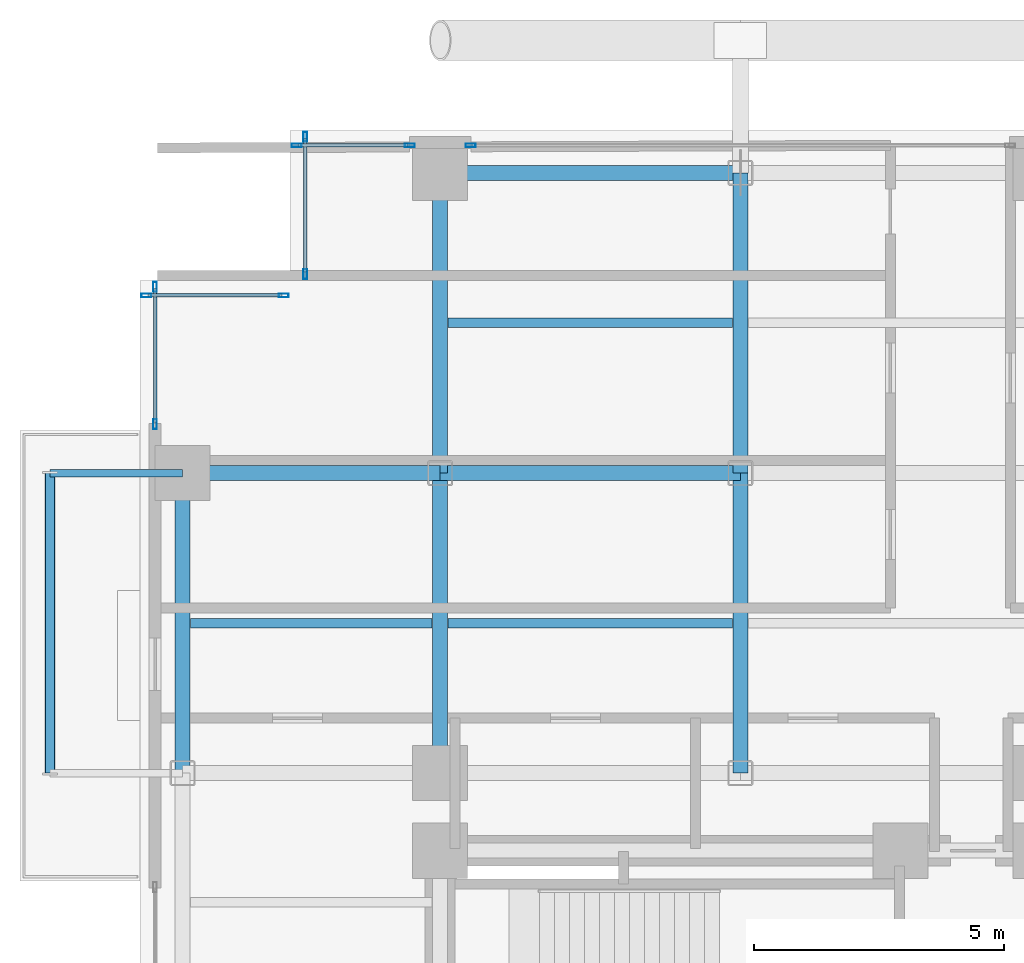
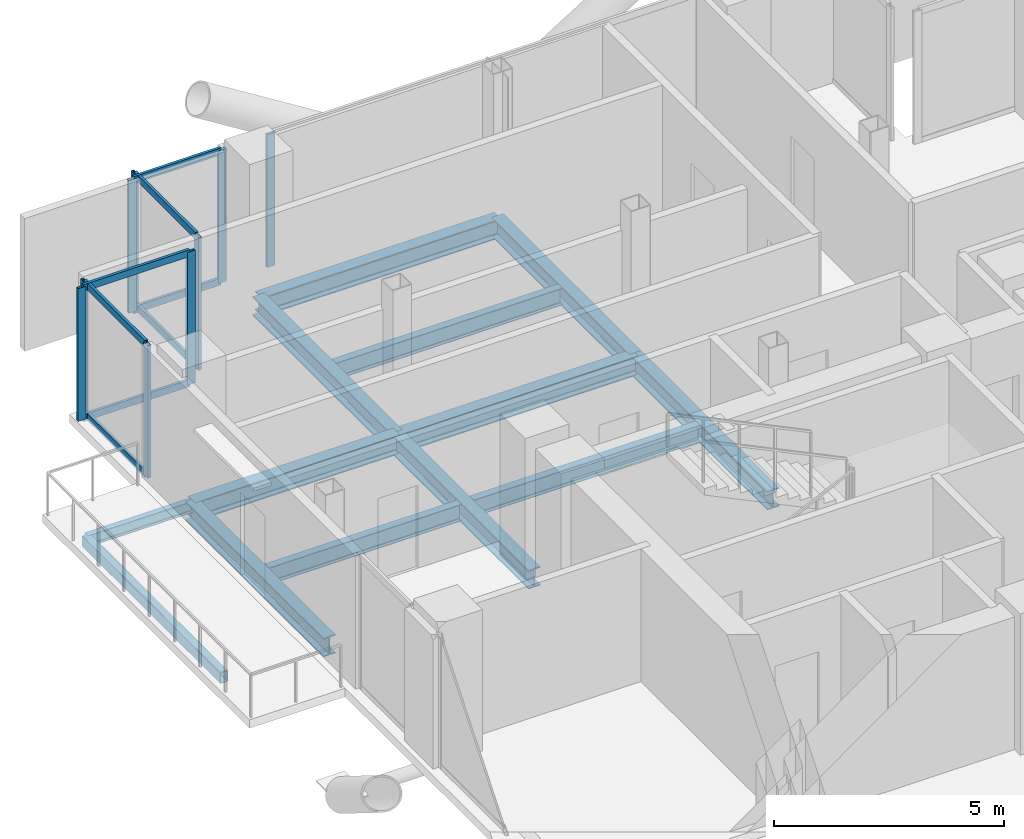
# One storey, part 15 of 28: 17 members, 13 beams, 5 elements without a shape of their own.
"""IFC4 building model written with IfcOpenShell, lengths in metres."""

from ifc_helpers import new_model, si_unit, direction, frame, origin, origin_2d, place, context, subcontext, project, spatial, hollow_rectangle, i_section, extrude, material, layer, layer_set, material_profile, profile_set, type_object, element, aggregate, save


model = new_model("IFC4")

# Units and contexts
model_context = context("Model", 3, precision=1e-05, world=origin(), true_north=direction((0.0, 1.0)))
body_context = subcontext(model_context, "Body", "Model", "MODEL_VIEW")
ifc_project = project(units=[si_unit("LENGTHUNIT", "METRE"), si_unit("AREAUNIT", "SQUARE_METRE"), si_unit("VOLUMEUNIT", "CUBIC_METRE"), si_unit("PLANEANGLEUNIT", "RADIAN"), si_unit("MASSUNIT", "GRAM", prefix="KILO"), si_unit("THERMODYNAMICTEMPERATUREUNIT", "KELVIN"), si_unit("POWERUNIT", "WATT")], contexts=[model_context])

# Site, building, storey
site_placement = place(None, origin())
site = spatial("IfcSite", under=ifc_project, at=site_placement, CompositionType="ELEMENT")
building_placement = place(site_placement, origin())
building = spatial("IfcBuilding", under=site, at=building_placement, Name="Svarakhadi Broadcast Tower", CompositionType="ELEMENT")
storey_placement = place(building_placement, frame((0.0, 0.0, 123.14990234375)))
storey = spatial("IfcBuildingStorey", under=building, at=storey_placement, Name="L29", CompositionType="ELEMENT", Elevation=123.14990234375)

# Beams
ifc_material_1 = material(Name="Steel S355J2 (IS 2062 E350C)", Category="steel")
ifc_material_profile_1 = material_profile(ifc_material_1, i_section(OverallWidth=0.18994140625, OverallDepth=0.449951171875, WebThickness=0.009521484375, FlangeThickness=0.0146484375, FilletRadius=0.02099609375, at=origin_2d()), Name="NPB 450x190x78")
ifc_profile_set_1 = profile_set([ifc_material_profile_1], Name="Steel S355J2 (IS 2062 E350C)")
beam_type_1 = type_object("IfcBeamType", Name="Beam_NPB450", PredefinedType="BEAM", material=ifc_profile_set_1)
beam_1_placement = place(storey_placement, frame((1.010009765625, 32.14990234375, -0.449951171875), z_axis=(1.0, 0.0, 0.0), x_axis=(0.0, 1.0, 0.0)))
element("IfcBeam", 1, at=beam_1_placement, inside=storey, type_object=beam_type_1, Name="L29 Secondary Composite Beam SB005", PredefinedType="BEAM", context=body_context, shape_type="SweptSolid", body=[
    extrude(i_section(OverallWidth=0.18994140625, OverallDepth=0.449951171875, WebThickness=0.009521484375, FlangeThickness=0.0146484375, FilletRadius=0.02099609375, at=origin_2d()), origin(), (0.0, 0.0, 1.0), 4.830078125),
])
for number, where, z_axis, x_axis, name in (
    (2, (6.159912109375, 32.14990234375, -0.449951171875), (1.0, 0.0, 0.0), (0.0, 1.0, 0.0), "L29 Secondary Composite Beam SB009"),
    (3, (6.159912109375, 38.14990234375, -0.449951171875), (1.0, 0.0, 0.0), (0.0, 1.0, 0.0), "L29 Secondary Composite Beam SB010"),
):
    element("IfcBeam", number, at=place(storey_placement, frame(where, z_axis=z_axis, x_axis=x_axis)), inside=storey, type_object=beam_type_1, Name=name, PredefinedType="BEAM", context=body_context, shape_type="SweptSolid", body=[
        extrude(i_section(OverallWidth=0.18994140625, OverallDepth=0.449951171875, WebThickness=0.009521484375, FlangeThickness=0.0146484375, FilletRadius=0.02099609375, at=origin_2d()), origin(), (0.0, 0.0, 1.0), 5.68017578125),
    ])

# Curtain wall, members
ifc_material_2 = material(Name="Anodised Bronze Aluminium AA 6063-T6", Category="aluminium")
ifc_layer = layer(ifc_material_2, 0.199951171875)
ifc_layer_set = layer_set([ifc_layer], Name="Anodised Bronze Aluminium AA 6063-T6")
curtain_wall_type = type_object("IfcCurtainWallType", Name="CW_Sys_03", PredefinedType="NOTDEFINED", material=ifc_layer_set)
curtain_wall_1_placement = place(storey_placement, origin())
curtain_wall_1 = element("IfcCurtainWall", 4, at=curtain_wall_1_placement, inside=storey, type_object=curtain_wall_type, Name="L29 West Curtain Wall 03", PredefinedType="NOTDEFINED")
ifc_material_profile_2 = material_profile(ifc_material_2, hollow_rectangle(XDim=0.074951171875, YDim=0.199951171875, WallThickness=0.005615234375, at=origin_2d()), Name="ALU MULLION 200x75x6")
ifc_profile_set_2 = profile_set([ifc_material_profile_2], Name="Anodised Bronze Aluminium AA 6063-T6")
member_type_1 = type_object("IfcMemberType", Name="CW_Sys_03_Mul", PredefinedType="MULLION", material=ifc_profile_set_2)
member_1_placement = place(storey_placement, frame((0.300048828125, 36.12744140625, 0.0), z_axis=(0.0, 0.0, 1.0), x_axis=(-1.0, 0.0, 0.0)))
member_1 = element("IfcMember", 5, at=member_1_placement, type_object=member_type_1, Name="CW-03 mullion 1", PredefinedType="MULLION", context=body_context, shape_type="SweptSolid", body=[
    extrude(hollow_rectangle(XDim=0.074951171875, YDim=0.199951171875, WallThickness=0.005615234375, at=origin_2d()), origin(), (0.0, 0.0, 1.0), 3.525146484375),
])
member_2_placement = place(storey_placement, frame((0.300048828125, 38.87255859375, 0.0), z_axis=(0.0, 0.0, 1.0), x_axis=(-1.0, 0.0, 0.0)))
member_2 = element("IfcMember", 6, at=member_2_placement, type_object=member_type_1, Name="CW-03 mullion 2", PredefinedType="MULLION", context=body_context, shape_type="SweptSolid", body=[
    extrude(hollow_rectangle(XDim=0.074951171875, YDim=0.199951171875, WallThickness=0.005615234375, at=origin_2d()), origin(), (0.0, 0.0, 1.0), 3.525146484375),
])

curtain_wall_2_placement = place(storey_placement, origin())
curtain_wall_2 = element("IfcCurtainWall", 7, at=curtain_wall_2_placement, inside=storey, type_object=curtain_wall_type, Name="L29 Unitised Facade Curtain Wall 04", PredefinedType="NOTDEFINED")
member_3_placement = place(storey_placement, frame((0.12744140625, 38.699951171875, 0.0), z_axis=(0.0, 0.0, 1.0), x_axis=(0.0, 1.0, 0.0)))
member_3 = element("IfcMember", 8, at=member_3_placement, type_object=member_type_1, Name="CW-03 mullion 1", PredefinedType="MULLION", context=body_context, shape_type="SweptSolid", body=[
    extrude(hollow_rectangle(XDim=0.074951171875, YDim=0.199951171875, WallThickness=0.005615234375, at=origin_2d()), origin(), (0.0, 0.0, 1.0), 3.525146484375),
])
member_4_placement = place(storey_placement, frame((2.87255859375, 38.699951171875, 0.0), z_axis=(0.0, 0.0, 1.0), x_axis=(0.0, 1.0, 0.0)))
member_4 = element("IfcMember", 9, at=member_4_placement, type_object=member_type_1, Name="CW-03 mullion 2", PredefinedType="MULLION", context=body_context, shape_type="SweptSolid", body=[
    extrude(hollow_rectangle(XDim=0.074951171875, YDim=0.199951171875, WallThickness=0.005615234375, at=origin_2d()), origin(), (0.0, 0.0, 1.0), 3.525146484375),
])

curtain_wall_3_placement = place(storey_placement, origin())
curtain_wall_3 = element("IfcCurtainWall", 10, at=curtain_wall_3_placement, inside=storey, type_object=curtain_wall_type, Name="L29 Unitised Facade Curtain Wall 05", PredefinedType="NOTDEFINED")
member_5_placement = place(storey_placement, frame((3.300048828125, 39.12744140625, 0.0), z_axis=(0.0, 0.0, 1.0), x_axis=(-1.0, 0.0, 0.0)))
member_5 = element("IfcMember", 11, at=member_5_placement, type_object=member_type_1, Name="CW-03 mullion 1", PredefinedType="MULLION", context=body_context, shape_type="SweptSolid", body=[
    extrude(hollow_rectangle(XDim=0.074951171875, YDim=0.199951171875, WallThickness=0.005615234375, at=origin_2d()), origin(), (0.0, 0.0, 1.0), 3.525146484375),
])
member_6_placement = place(storey_placement, frame((3.300048828125, 41.87255859375, 0.0), z_axis=(0.0, 0.0, 1.0), x_axis=(-1.0, 0.0, 0.0)))
member_6 = element("IfcMember", 12, at=member_6_placement, type_object=member_type_1, Name="CW-03 mullion 2", PredefinedType="MULLION", context=body_context, shape_type="SweptSolid", body=[
    extrude(hollow_rectangle(XDim=0.074951171875, YDim=0.199951171875, WallThickness=0.005615234375, at=origin_2d()), origin(), (0.0, 0.0, 1.0), 3.525146484375),
])

curtain_wall_4_placement = place(storey_placement, origin())
curtain_wall_4 = element("IfcCurtainWall", 13, at=curtain_wall_4_placement, inside=storey, type_object=curtain_wall_type, Name="L29 Unitised Facade Curtain Wall 06 Bay 1", PredefinedType="NOTDEFINED")
member_7_placement = place(storey_placement, frame((3.12744140625, 41.699951171875, 0.0), z_axis=(0.0, 0.0, 1.0), x_axis=(0.0, 1.0, 0.0)))
member_7 = element("IfcMember", 14, at=member_7_placement, type_object=member_type_1, Name="CW-03 mullion 1", PredefinedType="MULLION", context=body_context, shape_type="SweptSolid", body=[
    extrude(hollow_rectangle(XDim=0.074951171875, YDim=0.199951171875, WallThickness=0.005615234375, at=origin_2d()), origin(), (0.0, 0.0, 1.0), 3.525146484375),
])
member_8_placement = place(storey_placement, frame((5.392578125, 41.699951171875, 0.0), z_axis=(0.0, 0.0, 1.0), x_axis=(0.0, 1.0, 0.0)))
member_8 = element("IfcMember", 15, at=member_8_placement, type_object=member_type_1, Name="CW-03 mullion 2", PredefinedType="MULLION", context=body_context, shape_type="SweptSolid", body=[
    extrude(hollow_rectangle(XDim=0.074951171875, YDim=0.199951171875, WallThickness=0.005615234375, at=origin_2d()), origin(), (0.0, 0.0, 1.0), 3.525146484375),
])

# Curtain wall, member
curtain_wall_5_placement = place(storey_placement, origin())
curtain_wall_5 = element("IfcCurtainWall", 16, at=curtain_wall_5_placement, inside=storey, type_object=curtain_wall_type, Name="L29 Unitised Facade Curtain Wall 06 Bay 2", PredefinedType="NOTDEFINED")
member_9_placement = place(storey_placement, frame((6.607421875, 41.699951171875, 0.0), z_axis=(0.0, 0.0, 1.0), x_axis=(0.0, 1.0, 0.0)))
member_9 = element("IfcMember", 17, at=member_9_placement, type_object=member_type_1, Name="CW-03 mullion 1", PredefinedType="MULLION", context=body_context, shape_type="SweptSolid", body=[
    extrude(hollow_rectangle(XDim=0.074951171875, YDim=0.199951171875, WallThickness=0.005615234375, at=origin_2d()), origin(), (0.0, 0.0, 1.0), 3.525146484375),
])
aggregate(curtain_wall_5, [member_9])

# Member
ifc_material_profile_3 = material_profile(ifc_material_2, hollow_rectangle(XDim=0.070068359375, YDim=0.18505859375, WallThickness=0.0048828125, at=origin_2d()), Name="ALU TRANSOM 185x70x5")
ifc_profile_set_3 = profile_set([ifc_material_profile_3], Name="Anodised Bronze Aluminium AA 6063-T6")
member_type_2 = type_object("IfcMemberType", Name="CW_Sys_03_Trn", PredefinedType="USERDEFINED", material=ifc_profile_set_3)
member_10_placement = place(storey_placement, frame((0.300048828125, 36.1650390625, 0.03515625), z_axis=(0.0, 1.0, 0.0), x_axis=(-1.0, 0.0, 0.0)))
member_10 = element("IfcMember", 18, at=member_10_placement, type_object=member_type_2, Name="CW-03 transom 1.1", ObjectType="TRANSOM", PredefinedType="USERDEFINED", context=body_context, shape_type="SweptSolid", body=[
    extrude(hollow_rectangle(XDim=0.070068359375, YDim=0.18505859375, WallThickness=0.0048828125, at=origin_2d()), origin(), (0.0, 0.0, 1.0), 2.669921875),
])

member_11_placement = place(storey_placement, frame((0.300048828125, 36.1650390625, 3.489990234375), z_axis=(0.0, 1.0, 0.0), x_axis=(-1.0, 0.0, 0.0)))
member_11 = element("IfcMember", 19, at=member_11_placement, type_object=member_type_2, Name="CW-03 transom 1.2", ObjectType="TRANSOM", PredefinedType="USERDEFINED", context=body_context, shape_type="SweptSolid", body=[
    extrude(hollow_rectangle(XDim=0.070068359375, YDim=0.18505859375, WallThickness=0.0048828125, at=origin_2d()), origin(), (0.0, 0.0, 1.0), 2.669921875),
])

aggregate(curtain_wall_1, [member_1, member_2, member_10, member_11])

member_12_placement = place(storey_placement, frame((0.1650390625, 38.699951171875, 0.03515625), z_axis=(1.0, 0.0, 0.0), x_axis=(0.0, 1.0, 0.0)))
member_12 = element("IfcMember", 20, at=member_12_placement, type_object=member_type_2, Name="CW-03 transom 1.1", ObjectType="TRANSOM", PredefinedType="USERDEFINED", context=body_context, shape_type="SweptSolid", body=[
    extrude(hollow_rectangle(XDim=0.070068359375, YDim=0.18505859375, WallThickness=0.0048828125, at=origin_2d()), origin(), (0.0, 0.0, 1.0), 2.669921875),
])

member_13_placement = place(storey_placement, frame((0.1650390625, 38.699951171875, 3.489990234375), z_axis=(1.0, 0.0, 0.0), x_axis=(0.0, 1.0, 0.0)))
member_13 = element("IfcMember", 21, at=member_13_placement, type_object=member_type_2, Name="CW-03 transom 1.2", ObjectType="TRANSOM", PredefinedType="USERDEFINED", context=body_context, shape_type="SweptSolid", body=[
    extrude(hollow_rectangle(XDim=0.070068359375, YDim=0.18505859375, WallThickness=0.0048828125, at=origin_2d()), origin(), (0.0, 0.0, 1.0), 2.669921875),
])

aggregate(curtain_wall_2, [member_3, member_4, member_12, member_13])

member_14_placement = place(storey_placement, frame((3.300048828125, 39.1650390625, 0.03515625), z_axis=(0.0, 1.0, 0.0), x_axis=(-1.0, 0.0, 0.0)))
member_14 = element("IfcMember", 22, at=member_14_placement, type_object=member_type_2, Name="CW-03 transom 1.1", ObjectType="TRANSOM", PredefinedType="USERDEFINED", context=body_context, shape_type="SweptSolid", body=[
    extrude(hollow_rectangle(XDim=0.070068359375, YDim=0.18505859375, WallThickness=0.0048828125, at=origin_2d()), origin(), (0.0, 0.0, 1.0), 2.669921875),
])

member_15_placement = place(storey_placement, frame((3.300048828125, 39.1650390625, 3.489990234375), z_axis=(0.0, 1.0, 0.0), x_axis=(-1.0, 0.0, 0.0)))
member_15 = element("IfcMember", 23, at=member_15_placement, type_object=member_type_2, Name="CW-03 transom 1.2", ObjectType="TRANSOM", PredefinedType="USERDEFINED", context=body_context, shape_type="SweptSolid", body=[
    extrude(hollow_rectangle(XDim=0.070068359375, YDim=0.18505859375, WallThickness=0.0048828125, at=origin_2d()), origin(), (0.0, 0.0, 1.0), 2.669921875),
])

aggregate(curtain_wall_3, [member_5, member_6, member_14, member_15])

member_16_placement = place(storey_placement, frame((3.1650390625, 41.699951171875, 0.03515625), z_axis=(1.0, 0.0, 0.0), x_axis=(0.0, 1.0, 0.0)))
member_16 = element("IfcMember", 24, at=member_16_placement, type_object=member_type_2, Name="CW-03 transom 1.1", ObjectType="TRANSOM", PredefinedType="USERDEFINED", context=body_context, shape_type="SweptSolid", body=[
    extrude(hollow_rectangle(XDim=0.070068359375, YDim=0.18505859375, WallThickness=0.0048828125, at=origin_2d()), origin(), (0.0, 0.0, 1.0), 2.18994140625),
])

member_17_placement = place(storey_placement, frame((3.1650390625, 41.699951171875, 3.489990234375), z_axis=(1.0, 0.0, 0.0), x_axis=(0.0, 1.0, 0.0)))
member_17 = element("IfcMember", 25, at=member_17_placement, type_object=member_type_2, Name="CW-03 transom 1.2", ObjectType="TRANSOM", PredefinedType="USERDEFINED", context=body_context, shape_type="SweptSolid", body=[
    extrude(hollow_rectangle(XDim=0.070068359375, YDim=0.18505859375, WallThickness=0.0048828125, at=origin_2d()), origin(), (0.0, 0.0, 1.0), 2.18994140625),
])

aggregate(curtain_wall_4, [member_7, member_8, member_16, member_17])

# Beams
ifc_material_profile_4 = material_profile(ifc_material_1, i_section(OverallWidth=0.300048828125, OverallDepth=0.5, WebThickness=0.014404296875, FlangeThickness=0.028076171875, FilletRadius=0.027099609375, at=origin_2d()), Name="WPB 500x300x187")
ifc_profile_set_4 = profile_set([ifc_material_profile_4], Name="Steel S355J2 (IS 2062 E350C)")
beam_type_2 = type_object("IfcBeamType", Name="Girder_WPB500", PredefinedType="USERDEFINED", material=ifc_profile_set_4)
beam_2_placement = place(storey_placement, frame((0.85009765625, 35.14990234375, -0.474853515625), z_axis=(1.0, 0.0, 0.0), x_axis=(0.0, 1.0, 0.0)))
element("IfcBeam", 26, at=beam_2_placement, inside=storey, type_object=beam_type_2, Name="L29 Primary E-W Girder G035", ObjectType="GIRDER", PredefinedType="USERDEFINED", context=body_context, shape_type="SweptSolid", body=[
    extrude(i_section(OverallWidth=0.300048828125, OverallDepth=0.5, WebThickness=0.014404296875, FlangeThickness=0.028076171875, FilletRadius=0.027099609375, at=origin_2d()), origin(), (0.0, 0.0, 1.0), 5.14990234375),
])
for number, where, z_axis, x_axis, name in (
    (27, (6.0, 35.14990234375, -0.474853515625), (1.0, 0.0, 0.0), (0.0, 1.0, 0.0), "L29 Primary E-W Girder G036"),
    (28, (6.0, 41.14990234375, -0.474853515625), (1.0, 0.0, 0.0), (0.0, 1.0, 0.0), "L29 Primary E-W Girder G038"),
    (29, (0.85009765625, 29.14990234375, -0.474853515625), (0.0, 1.0, 0.0), (-1.0, 0.0, 0.0), "L29 Primary N-S Girder G044"),
    (30, (6.0, 29.14990234375, -0.474853515625), (0.0, 1.0, 0.0), (-1.0, 0.0, 0.0), "L29 Primary N-S Girder G049"),
    (31, (6.0, 35.14990234375, -0.474853515625), (0.0, 1.0, 0.0), (-1.0, 0.0, 0.0), "L29 Primary N-S Girder G050"),
    (32, (12.0, 29.14990234375, -0.474853515625), (0.0, 1.0, 0.0), (-1.0, 0.0, 0.0), "L29 Primary N-S Girder G054"),
    (33, (12.0, 35.14990234375, -0.474853515625), (0.0, 1.0, 0.0), (-1.0, 0.0, 0.0), "L29 Primary N-S Girder G055"),
):
    element("IfcBeam", number, at=place(storey_placement, frame(where, z_axis=z_axis, x_axis=x_axis)), inside=storey, type_object=beam_type_2, Name=name, ObjectType="GIRDER", PredefinedType="USERDEFINED", context=body_context, shape_type="SweptSolid", body=[
        extrude(i_section(OverallWidth=0.300048828125, OverallDepth=0.5, WebThickness=0.014404296875, FlangeThickness=0.028076171875, FilletRadius=0.027099609375, at=origin_2d()), origin(), (0.0, 0.0, 1.0), 6.0),
    ])
ifc_material_profile_5 = material_profile(ifc_material_1, i_section(OverallWidth=0.14990234375, OverallDepth=0.300048828125, WebThickness=0.007080078125, FlangeThickness=0.0107421875, FilletRadius=0.014892578125, at=origin_2d()), Name="NPB 300x150x37")
ifc_profile_set_5 = profile_set([ifc_material_profile_5], Name="Steel S355J2 (IS 2062 E350C)")
beam_type_3 = type_object("IfcBeamType", Name="Spandrel_NPB300", PredefinedType="SPANDREL", material=ifc_profile_set_5)
beam_3_placement = place(storey_placement, frame((0.85009765625, 35.14990234375, -0.375), z_axis=(-1.0, 0.0, 0.0), x_axis=(0.0, -1.0, 0.0)))
element("IfcBeam", 34, at=beam_3_placement, inside=storey, type_object=beam_type_3, Name="L29 Balcony Cantilever Bracket 2B", PredefinedType="SPANDREL", context=body_context, shape_type="SweptSolid", body=[
    extrude(i_section(OverallWidth=0.14990234375, OverallDepth=0.300048828125, WebThickness=0.007080078125, FlangeThickness=0.0107421875, FilletRadius=0.014892578125, at=origin_2d()), origin(), (0.0, 0.0, 1.0), 2.650146484375),
])
ifc_material_3 = material(Name="Steel S460ML (IS 2062 E450BR)", Category="steel")
ifc_material_profile_6 = material_profile(ifc_material_3, hollow_rectangle(XDim=0.199951171875, YDim=0.300048828125, WallThickness=0.012451171875, InnerFilletRadius=0.012451171875, OuterFilletRadius=0.02490234375, at=origin_2d()), Name="RHS 300x200x12.5")
ifc_profile_set_6 = profile_set([ifc_material_profile_6], Name="Steel S460ML (IS 2062 E450BR)")
beam_type_4 = type_object("IfcBeamType", Name="Spandrel_RHS300", PredefinedType="SPANDREL", material=ifc_profile_set_6)
beam_4_placement = place(storey_placement, frame((-1.800048828125, 29.14990234375, -0.375), z_axis=(0.0, 1.0, 0.0), x_axis=(-1.0, 0.0, 0.0)))
element("IfcBeam", 35, at=beam_4_placement, inside=storey, type_object=beam_type_4, Name="L29 Balcony Outer Spandrel 2F", PredefinedType="SPANDREL", context=body_context, shape_type="SweptSolid", body=[
    extrude(hollow_rectangle(XDim=0.199951171875, YDim=0.300048828125, WallThickness=0.012451171875, InnerFilletRadius=0.012451171875, OuterFilletRadius=0.02490234375, at=origin_2d()), origin(), (0.0, 0.0, 1.0), 6.0),
])

save(model, "model.ifc")
